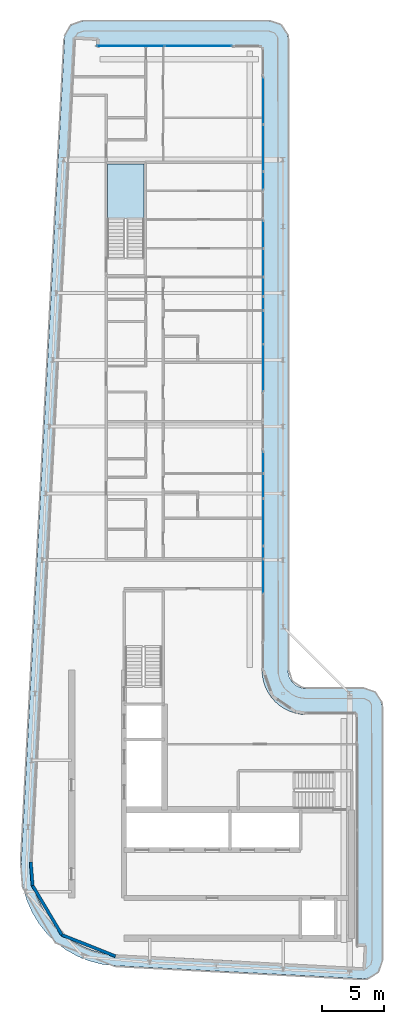
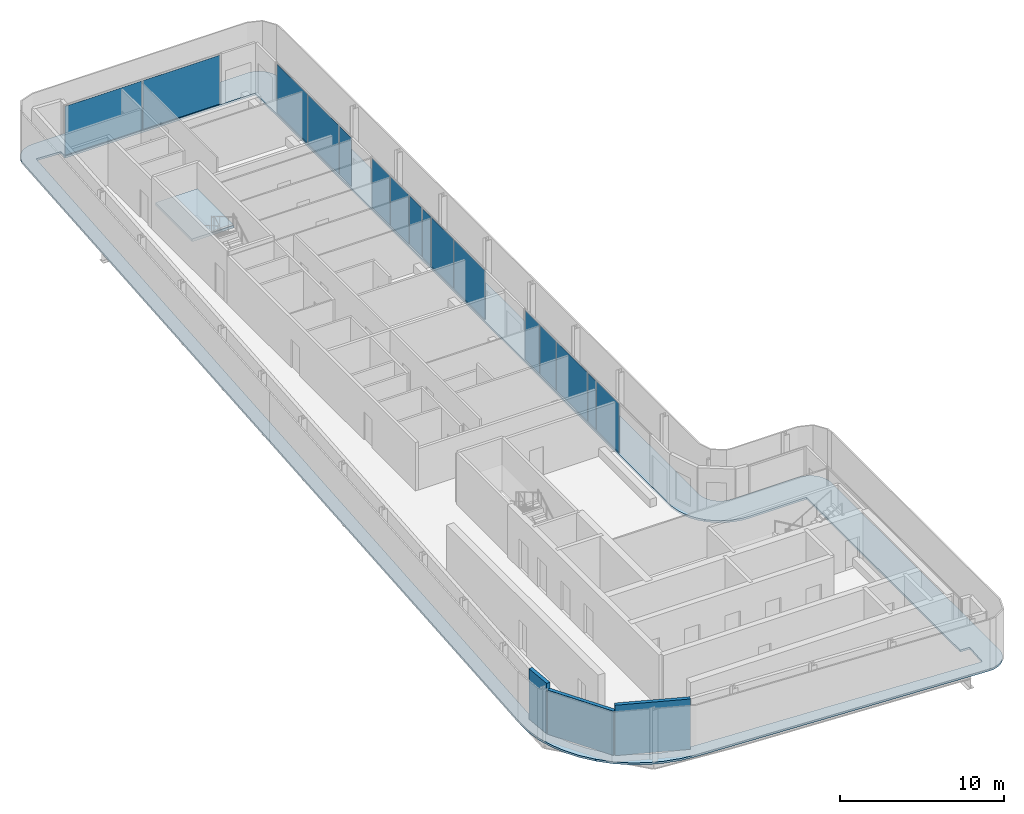
# One storey, part 8 of 18: 16 plates, 3 walls, 2 slabs, 8 elements without a shape of their own.
"""IFC4 building model written with IfcOpenShell, lengths in metres."""

import ifcopenshell
import ifcopenshell.guid

model = None  # the IFC model being written
_history = None  # IfcOwnerHistory: only IFC2X3 demands one
_inside = {}  # id of a spatial element -> (the spatial element, [elements in it])
_under = {}  # id of a project, library or spatial element -> (it, [spatial elements below it])
_declared = {}  # id of a project -> (the project, [libraries it declares])
_typed = {}  # id of a type object -> (the type object, [elements of that type])
_made_of = {}  # id of a material, layer set ... -> (it, [elements and type objects made of it])


def new_model(schema):
    """Start an empty IFC model of exactly this schema.

    Asked for "IFC4X3", IfcOpenShell would pick the latest addendum, in which some entities
    have other attributes; the version numbers below select the first issue.
    IFC2X3 requires an IfcOwnerHistory on every rooted entity: one is made here for all.
    """
    global model, _history
    if schema == "IFC4X3":
        model = ifcopenshell.file(schema_version=(4, 3, 0, 0))
    else:
        model = ifcopenshell.file(schema=schema)
    _inside.clear()
    _under.clear()
    _declared.clear()
    _typed.clear()
    _made_of.clear()
    _history = None
    if model.schema == "IFC2X3":
        org = make("IfcOrganization", Name="unknown")
        user = make(
            "IfcPersonAndOrganization",
            ThePerson=make("IfcPerson", FamilyName="unknown"),
            TheOrganization=org,
        )
        app = make(
            "IfcApplication",
            ApplicationDeveloper=org,
            Version="unknown",
            ApplicationFullName="unknown",
            ApplicationIdentifier="unknown",
        )
        _history = make(
            "IfcOwnerHistory",
            OwningUser=user,
            OwningApplication=app,
            ChangeAction="ADDED",
            CreationDate=0,
        )
    return model


def make(cls, **values):
    """One entity of the class cls with the attributes given. An attribute that is None is left unset."""
    return model.create_entity(
        cls, **{name: value for name, value in values.items() if value is not None}
    )


def rooted(cls, **values):
    """An entity with a GlobalId (a new one), such as an element, a storey or a relation."""
    return make(cls, GlobalId=ifcopenshell.guid.new(), OwnerHistory=_history, **values)


def si_unit(unit_type, name, prefix=None):
    """IfcSIUnit, for example si_unit("LENGTHUNIT", "METRE", prefix="MILLI")."""
    return make("IfcSIUnit", UnitType=unit_type, Prefix=prefix, Name=name)


def assignment(units):
    """IfcUnitAssignment: the units of a project."""
    return None if units is None else make("IfcUnitAssignment", Units=units)


def point(xyz):
    """IfcCartesianPoint."""
    return None if xyz is None else make("IfcCartesianPoint", Coordinates=xyz)


def direction(xyz):
    """IfcDirection."""
    return None if xyz is None else make("IfcDirection", DirectionRatios=xyz)


def frame(location, z_axis=None, x_axis=None):
    """IfcAxis2Placement3D, a coordinate frame: its origin and axes. An axis left out is left unset."""
    return make(
        "IfcAxis2Placement3D",
        Location=point(location),
        Axis=direction(z_axis),
        RefDirection=direction(x_axis),
    )


def frame_2d(location, x_axis=None):
    """IfcAxis2Placement2D, a coordinate frame in the plane: its origin and x axis."""
    return make(
        "IfcAxis2Placement2D", Location=point(location), RefDirection=direction(x_axis)
    )


def origin():
    """The frame at (0, 0, 0) with its axes left unset."""
    return frame((0.0, 0.0, 0.0))


def origin_2d():
    """The frame at (0, 0) in the plane with its x axis left unset."""
    return frame_2d((0.0, 0.0))


def place(relative_to, where):
    """IfcLocalPlacement: puts the frame where relative to a parent placement (None: the world)."""
    return make(
        "IfcLocalPlacement", PlacementRelTo=relative_to, RelativePlacement=where
    )


def context(
    kind, dimensions, precision=None, world=None, true_north=None, identifier=None
):
    """IfcGeometricRepresentationContext, for example the 3D "Model" context."""
    return make(
        "IfcGeometricRepresentationContext",
        ContextIdentifier=identifier,
        ContextType=kind,
        CoordinateSpaceDimension=dimensions,
        Precision=precision,
        WorldCoordinateSystem=world,
        TrueNorth=true_north,
    )


def subcontext(parent, identifier, kind, view, scale=None):
    """IfcGeometricRepresentationSubContext, for example "Body" below "Model"."""
    return make(
        "IfcGeometricRepresentationSubContext",
        ContextIdentifier=identifier,
        ContextType=kind,
        ParentContext=parent,
        TargetScale=scale,
        TargetView=view,
    )


def project(units=None, contexts=None):
    """IfcProject with its units and contexts."""
    return rooted(
        "IfcProject",
        Name="project",
        RepresentationContexts=contexts,
        UnitsInContext=assignment(units),
    )


def spatial(cls, under=None, at=None, **own):
    """A site, building, storey or space (cls), placed at a placement, below another one or the project."""
    s = rooted(cls, ObjectPlacement=at, **own)
    if under is not None:
        _under.setdefault(under.id(), (under, []))[1].append(s)
    return s


def polyline(points):
    """IfcPolyline through the points."""
    return make("IfcPolyline", Points=[point(p) for p in points])


def profile(cls, at=None, kind="AREA", **sizes):
    """A parametric profile (cls). Its sizes go by their IFC names, for example OverallWidth=200.0."""
    return make(cls, ProfileType=kind, Position=at, **sizes)


def rectangle(**sizes):
    """IfcRectangleProfileDef."""
    return profile("IfcRectangleProfileDef", **sizes)


def outline(outer, holes=None, kind="AREA"):
    """IfcArbitraryClosedProfileDef: a profile drawn as a closed curve; with holes, ...WithVoids."""
    if holes is None:
        return make("IfcArbitraryClosedProfileDef", ProfileType=kind, OuterCurve=outer)
    return make(
        "IfcArbitraryProfileDefWithVoids",
        ProfileType=kind,
        OuterCurve=outer,
        InnerCurves=holes,
    )


def extrude(swept, where, along, depth):
    """IfcExtrudedAreaSolid: the profile swept, set in the frame where, extruded along a direction by depth."""
    return make(
        "IfcExtrudedAreaSolid",
        SweptArea=swept,
        Position=where,
        ExtrudedDirection=direction(along),
        Depth=depth,
    )


def shape(context_of_items, identifier, shape_type, items):
    """IfcShapeRepresentation: the items that make up one representation, for example the "Body"."""
    return make(
        "IfcShapeRepresentation",
        ContextOfItems=context_of_items,
        RepresentationIdentifier=identifier,
        RepresentationType=shape_type,
        Items=items,
    )


def material(Name=None, Category=None):
    """IfcMaterial."""
    return make("IfcMaterial", Name=Name, Category=Category)


def layer(
    of_material, thickness, ventilated=None, Name=None, Category=None, Priority=None
):
    """IfcMaterialLayer: one layer of a wall or slab, of a material (None: an air gap)."""
    return make(
        "IfcMaterialLayer",
        Material=of_material,
        LayerThickness=thickness,
        IsVentilated=ventilated,
        Name=Name,
        Category=Category,
        Priority=Priority,
    )


def layer_set(layers, Name=None):
    """IfcMaterialLayerSet."""
    return make("IfcMaterialLayerSet", MaterialLayers=layers, LayerSetName=Name)


def made_of(thing, what):
    """Note that an element or type object is made of a material, layer set ...; save() writes the relation."""
    if what is not None:
        _made_of.setdefault(what.id(), (what, []))[1].append(thing)
    return thing


def type_object(cls, material=None, **own):
    """A type object (cls), such as IfcWallType, which elements share."""
    return made_of(rooted(cls, **own), material)


def element(
    cls,
    number,
    at=None,
    inside=None,
    cuts=None,
    type_object=None,
    material=None,
    context=None,
    identifier="Body",
    shape_type=None,
    held_by="IfcProductDefinitionShape",
    body=None,
    shapes=None,
    **own,
):
    """One element of the class cls, such as IfcWall. Its Tag is "e" and its number.

    at: its placement. inside: the storey or other place that contains it. cuts: it is an
    opening in that element (IfcRelVoidsElement). A single representation is given by context,
    identifier, shape_type and body (its items); several are given by shapes. held_by: the class
    of the entity that holds the representations. save() writes the other relations.
    """
    e = rooted(cls, Tag="e%d" % number, ObjectPlacement=at, **own)
    if body is not None:
        shapes = [shape(context, identifier, shape_type, body)]
    if shapes is not None:
        e.Representation = make(held_by, Representations=shapes)
    if inside is not None:
        _inside.setdefault(inside.id(), (inside, []))[1].append(e)
    if cuts is not None:
        rooted(
            "IfcRelVoidsElement", RelatingBuildingElement=cuts, RelatedOpeningElement=e
        )
    if type_object is not None:
        _typed.setdefault(type_object.id(), (type_object, []))[1].append(e)
    return made_of(e, material)


def aggregate(whole, parts):
    """IfcRelAggregates: a whole, such as a stair, and the parts it consists of."""
    return rooted("IfcRelAggregates", RelatingObject=whole, RelatedObjects=parts)


def save(model, path):
    """Write the relations noted so far, then the file.

    IfcRelAggregates (storeys below a building ...), IfcRelContainedInSpatialStructure (elements
    in a storey), IfcRelDefinesByType, IfcRelAssociatesMaterial and IfcRelDeclares: one each for
    every whole, place, type object, material and project.
    """
    for whole, parts in _under.values():
        aggregate(whole, parts)
    for where, things in _inside.values():
        rooted(
            "IfcRelContainedInSpatialStructure",
            RelatedElements=things,
            RelatingStructure=where,
        )
    for kind, things in _typed.values():
        rooted("IfcRelDefinesByType", RelatedObjects=things, RelatingType=kind)
    for what, things in _made_of.values():
        rooted("IfcRelAssociatesMaterial", RelatedObjects=things, RelatingMaterial=what)
    for by, libraries in _declared.values():
        rooted("IfcRelDeclares", RelatingContext=by, RelatedDefinitions=libraries)
    model.write(path)


model = new_model("IFC4")

# Units and contexts
model_context = context("Model", 3, precision=1e-05, world=origin(), true_north=direction((0.0, 1.0)))
body_context = subcontext(model_context, "Body", "Model", "MODEL_VIEW")
ifc_project = project(units=[si_unit("LENGTHUNIT", "METRE"), si_unit("AREAUNIT", "SQUARE_METRE"), si_unit("VOLUMEUNIT", "CUBIC_METRE"), si_unit("PLANEANGLEUNIT", "RADIAN"), si_unit("MASSUNIT", "GRAM", prefix="KILO")], contexts=[model_context])

# Site, building, storey
site_placement = place(None, origin())
site = spatial("IfcSite", under=ifc_project, at=site_placement, CompositionType="ELEMENT")
building_placement = place(site_placement, origin())
building = spatial("IfcBuilding", under=site, at=building_placement, Name="Kheshtan School and Residences Tower", CompositionType="ELEMENT")
storey_placement = place(building_placement, frame((0.0, 0.0, 373.39990234375)))
storey = spatial("IfcBuildingStorey", under=building, at=storey_placement, Name="L88", CompositionType="ELEMENT", Elevation=373.39990234375)

# Curtain wall, plates
ifc_material_1 = material(Name="Clear low-e glass in thermally broken aluminium frame", Category="aluminium")
ifc_layer_1 = layer(ifc_material_1, 0.199951171875)
ifc_layer_set_1 = layer_set([ifc_layer_1], Name="Curtain wall CW-L")
curtain_wall_type = type_object("IfcCurtainWallType", Name="Curtain wall CW-L", PredefinedType="NOTDEFINED", material=ifc_layer_set_1)
curtain_wall_1_placement = place(storey_placement, origin())
curtain_wall_1 = element("IfcCurtainWall", 1, at=curtain_wall_1_placement, inside=storey, type_object=curtain_wall_type, Name="Curtain wall CWL7", PredefinedType="NOTDEFINED")
ifc_layer_2 = layer(ifc_material_1, 0.031982421875)
ifc_layer_set_2 = layer_set([ifc_layer_2], Name="CW-L glass panel")
plate_type = type_object("IfcPlateType", Name="CW-L glass panel", PredefinedType="CURTAIN_PANEL", material=ifc_layer_set_2)
plate_1_placement = place(storey_placement, frame((35.259033203125, 98.0, 0.000244140625), z_axis=(0.0, 0.0, 1.0), x_axis=(1.0, 0.0, 0.0)))
plate_1 = element("IfcPlate", 2, at=plate_1_placement, type_object=plate_type, Name="CWL7 panel 1.1", PredefinedType="CURTAIN_PANEL", context=body_context, shape_type="SweptSolid", body=[
    extrude(rectangle(XDim=5.4140625, YDim=0.031982421875, at=origin_2d()), origin(), (0.0, 0.0, 1.0), 3.6298828125),
])
plate_2_placement = place(storey_placement, frame((40.73291015625, 98.0, 0.000244140625), z_axis=(0.0, 0.0, 1.0), x_axis=(1.0, 0.0, 0.0)))
plate_2 = element("IfcPlate", 3, at=plate_2_placement, type_object=plate_type, Name="CWL7 panel 2.1", PredefinedType="CURTAIN_PANEL", context=body_context, shape_type="SweptSolid", body=[
    extrude(rectangle(XDim=5.4140625, YDim=0.031982421875, at=origin_2d()), origin(), (0.0, 0.0, 1.0), 3.6298828125),
])
aggregate(curtain_wall_1, [plate_1, plate_2])

curtain_wall_2_placement = place(storey_placement, origin())
curtain_wall_2 = element("IfcCurtainWall", 4, at=curtain_wall_2_placement, inside=storey, type_object=curtain_wall_type, Name="Curtain wall CWL8", PredefinedType="NOTDEFINED")
plate_3_placement = place(storey_placement, frame((46.0, 93.5615234375, 0.000244140625), z_axis=(0.0, 0.0, 1.0), x_axis=(0.0, -1.0, 0.0)))
plate_3 = element("IfcPlate", 5, at=plate_3_placement, type_object=plate_type, Name="CWL8 panel 1.1", PredefinedType="CURTAIN_PANEL", context=body_context, shape_type="SweptSolid", body=[
    extrude(rectangle(XDim=3.757080078125, YDim=0.031982421875, at=origin_2d()), origin(), (0.0, 0.0, 1.0), 3.6298828125),
])
plate_4_placement = place(storey_placement, frame((46.0, 89.744384765625, 0.000244140625), z_axis=(0.0, 0.0, 1.0), x_axis=(0.0, -1.0, 0.0)))
plate_4 = element("IfcPlate", 6, at=plate_4_placement, type_object=plate_type, Name="CWL8 panel 2.1", PredefinedType="CURTAIN_PANEL", context=body_context, shape_type="SweptSolid", body=[
    extrude(rectangle(XDim=3.757080078125, YDim=0.031982421875, at=origin_2d()), origin(), (0.0, 0.0, 1.0), 3.6298828125),
])
aggregate(curtain_wall_2, [plate_3, plate_4])

# Curtain wall, plate
curtain_wall_3_placement = place(storey_placement, origin())
curtain_wall_3 = element("IfcCurtainWall", 7, at=curtain_wall_3_placement, inside=storey, type_object=curtain_wall_type, Name="Curtain wall CWL8a", PredefinedType="NOTDEFINED")
plate_5_placement = place(storey_placement, frame((46.0, 87.0859375, 0.000244140625), z_axis=(0.0, 0.0, 1.0), x_axis=(0.0, -1.0, 0.0)))
plate_5 = element("IfcPlate", 8, at=plate_5_placement, type_object=plate_type, Name="CWL8a panel 1.1", PredefinedType="CURTAIN_PANEL", context=body_context, shape_type="SweptSolid", body=[
    extrude(rectangle(XDim=1.43994140625, YDim=0.031982421875, at=origin_2d()), origin(), (0.0, 0.0, 1.0), 3.6298828125),
])
aggregate(curtain_wall_3, [plate_5])

# Curtain wall, plates
curtain_wall_4_placement = place(storey_placement, origin())
curtain_wall_4 = element("IfcCurtainWall", 9, at=curtain_wall_4_placement, inside=storey, type_object=curtain_wall_type, Name="Curtain wall CWL8b", PredefinedType="NOTDEFINED")
plate_6_placement = place(storey_placement, frame((46.0, 82.75048828125, 0.000244140625), z_axis=(0.0, 0.0, 1.0), x_axis=(0.0, -1.0, 0.0)))
plate_6 = element("IfcPlate", 10, at=plate_6_placement, type_object=plate_type, Name="CWL8b panel 1.1", PredefinedType="CURTAIN_PANEL", context=body_context, shape_type="SweptSolid", body=[
    extrude(rectangle(XDim=2.19091796875, YDim=0.031982421875, at=origin_2d()), origin(), (0.0, 0.0, 1.0), 3.6298828125),
])
plate_7_placement = place(storey_placement, frame((46.0, 80.46240234375, 0.000244140625), z_axis=(0.0, 0.0, 1.0), x_axis=(0.0, -1.0, 0.0)))
plate_7 = element("IfcPlate", 11, at=plate_7_placement, type_object=plate_type, Name="CWL8b panel 2.1", PredefinedType="CURTAIN_PANEL", context=body_context, shape_type="SweptSolid", body=[
    extrude(rectangle(XDim=2.264892578125, YDim=0.031982421875, at=origin_2d()), origin(), (0.0, 0.0, 1.0), 3.6298828125),
])
plate_8_placement = place(storey_placement, frame((46.0, 78.52099609375, 0.000244140625), z_axis=(0.0, 0.0, 1.0), x_axis=(0.0, -1.0, 0.0)))
plate_8 = element("IfcPlate", 12, at=plate_8_placement, type_object=plate_type, Name="CWL8b panel 3.1", PredefinedType="CURTAIN_PANEL", context=body_context, shape_type="SweptSolid", body=[
    extrude(rectangle(XDim=1.498046875, YDim=0.031982421875, at=origin_2d()), origin(), (0.0, 0.0, 1.0), 3.6298828125),
])
aggregate(curtain_wall_4, [plate_6, plate_7, plate_8])

curtain_wall_5_placement = place(storey_placement, origin())
curtain_wall_5 = element("IfcCurtainWall", 13, at=curtain_wall_5_placement, inside=storey, type_object=curtain_wall_type, Name="Curtain wall CWL8c", PredefinedType="NOTDEFINED")
plate_9_placement = place(storey_placement, frame((46.0, 77.1708984375, 0.000244140625), z_axis=(0.0, 0.0, 1.0), x_axis=(0.0, -1.0, 0.0)))
plate_9 = element("IfcPlate", 14, at=plate_9_placement, type_object=plate_type, Name="CWL8c panel 1.1", PredefinedType="CURTAIN_PANEL", context=body_context, shape_type="SweptSolid", body=[
    extrude(rectangle(XDim=1.08203125, YDim=0.031982421875, at=origin_2d()), origin(), (0.0, 0.0, 1.0), 3.6298828125),
])
plate_10_placement = place(storey_placement, frame((46.0, 75.232421875, 0.000244140625), z_axis=(0.0, 0.0, 1.0), x_axis=(0.0, -1.0, 0.0)))
plate_10 = element("IfcPlate", 15, at=plate_10_placement, type_object=plate_type, Name="CWL8c panel 2.1", PredefinedType="CURTAIN_PANEL", context=body_context, shape_type="SweptSolid", body=[
    extrude(rectangle(XDim=2.675048828125, YDim=0.031982421875, at=origin_2d()), origin(), (0.0, 0.0, 1.0), 3.6298828125),
])
plate_11_placement = place(storey_placement, frame((46.0, 71.95654296875, 0.000244140625), z_axis=(0.0, 0.0, 1.0), x_axis=(0.0, -1.0, 0.0)))
plate_11 = element("IfcPlate", 16, at=plate_11_placement, type_object=plate_type, Name="CWL8c panel 3.1", PredefinedType="CURTAIN_PANEL", context=body_context, shape_type="SweptSolid", body=[
    extrude(rectangle(XDim=3.757080078125, YDim=0.031982421875, at=origin_2d()), origin(), (0.0, 0.0, 1.0), 3.6298828125),
])
aggregate(curtain_wall_5, [plate_9, plate_10, plate_11])

curtain_wall_6_placement = place(storey_placement, origin())
curtain_wall_6 = element("IfcCurtainWall", 17, at=curtain_wall_6_placement, inside=storey, type_object=curtain_wall_type, Name="Curtain wall CWL8c", PredefinedType="NOTDEFINED")
plate_12_placement = place(storey_placement, frame((46.0, 64.2939453125, 0.000244140625), z_axis=(0.0, 0.0, 1.0), x_axis=(0.0, -1.0, 0.0)))
plate_12 = element("IfcPlate", 18, at=plate_12_placement, type_object=plate_type, Name="CWL8c panel 1.1", PredefinedType="CURTAIN_PANEL", context=body_context, shape_type="SweptSolid", body=[
    extrude(rectangle(XDim=1.72802734375, YDim=0.031982421875, at=origin_2d()), origin(), (0.0, 0.0, 1.0), 3.6298828125),
])
plate_13_placement = place(storey_placement, frame((46.0, 62.385498046875, 0.000244140625), z_axis=(0.0, 0.0, 1.0), x_axis=(0.0, -1.0, 0.0)))
plate_13 = element("IfcPlate", 19, at=plate_13_placement, type_object=plate_type, Name="CWL8c panel 2.1", PredefinedType="CURTAIN_PANEL", context=body_context, shape_type="SweptSolid", body=[
    extrude(rectangle(XDim=1.968994140625, YDim=0.031982421875, at=origin_2d()), origin(), (0.0, 0.0, 1.0), 3.6298828125),
])
plate_14_placement = place(storey_placement, frame((46.0, 59.46240234375, 0.000244140625), z_axis=(0.0, 0.0, 1.0), x_axis=(0.0, -1.0, 0.0)))
plate_14 = element("IfcPlate", 20, at=plate_14_placement, type_object=plate_type, Name="CWL8c panel 3.1", PredefinedType="CURTAIN_PANEL", context=body_context, shape_type="SweptSolid", body=[
    extrude(rectangle(XDim=3.757080078125, YDim=0.031982421875, at=origin_2d()), origin(), (0.0, 0.0, 1.0), 3.6298828125),
])
aggregate(curtain_wall_6, [plate_12, plate_13, plate_14])

curtain_wall_7_placement = place(storey_placement, origin())
curtain_wall_7 = element("IfcCurtainWall", 21, at=curtain_wall_7_placement, inside=storey, type_object=curtain_wall_type, Name="Curtain wall CWL8c", PredefinedType="NOTDEFINED")
plate_15_placement = place(storey_placement, frame((46.0, 57.027099609375, 0.000244140625), z_axis=(0.0, 0.0, 1.0), x_axis=(0.0, -1.0, 0.0)))
plate_15 = element("IfcPlate", 22, at=plate_15_placement, type_object=plate_type, Name="CWL8c panel 1.1", PredefinedType="CURTAIN_PANEL", context=body_context, shape_type="SweptSolid", body=[
    extrude(rectangle(XDim=0.993896484375, YDim=0.031982421875, at=origin_2d()), origin(), (0.0, 0.0, 1.0), 3.6298828125),
])
plate_16_placement = place(storey_placement, frame((46.0, 55.08837890625, 0.000244140625), z_axis=(0.0, 0.0, 1.0), x_axis=(0.0, -1.0, 0.0)))
plate_16 = element("IfcPlate", 23, at=plate_16_placement, type_object=plate_type, Name="CWL8c panel 2.1", PredefinedType="CURTAIN_PANEL", context=body_context, shape_type="SweptSolid", body=[
    extrude(rectangle(XDim=2.762939453125, YDim=0.031982421875, at=origin_2d()), origin(), (0.0, 0.0, 1.0), 3.6298828125),
])
aggregate(curtain_wall_7, [plate_15, plate_16])

# Slab
ifc_material_2 = material(Name="Concrete C40/50", Category="concrete")
ifc_layer_3 = layer(ifc_material_2, 0.14990234375)
ifc_layer_set_3 = layer_set([ifc_layer_3], Name="Loggia balcony slab 150 Concrete C40/50")
slab_type_1 = type_object("IfcSlabType", Name="Loggia balcony slab 150 Concrete C40/50", PredefinedType="FLOOR", material=ifc_layer_set_3)
slab_1_placement = place(storey_placement, frame((0.0, 0.0, -0.14990234375)))
element("IfcSlab", 24, at=slab_1_placement, inside=storey, type_object=slab_type_1, Name="Loggia balcony slab L88", PredefinedType="FLOOR", context=body_context, shape_type="SweptSolid", body=[
    extrude(outline(polyline([(28.4580078125, 26.222900390625), (28.45703125, 26.222900390625), (28.45703125, 26.22412109375), (28.4560546875, 26.22412109375), (27.81494140625, 27.0390625), (27.281005859375, 27.93798828125), (26.867919921875, 28.89990234375), (26.583984375, 29.89990234375), (26.583984375, 29.906982421875), (26.43408203125, 30.943115234375), (26.419921875, 31.989013671875), (29.925048828125, 98.5791015625), (29.930908203125, 98.626953125), (29.930908203125, 98.6279296875), (29.929931640625, 98.6279296875), (29.929931640625, 98.62890625), (29.928955078125, 98.62890625), (29.928955078125, 98.6298828125), (29.927978515625, 98.6298828125), (29.927978515625, 98.631103515625), (29.927001953125, 98.631103515625), (29.927001953125, 98.632080078125), (29.927001953125, 98.633056640625), (29.945068359375, 98.781005859375), (29.945068359375, 98.783935546875), (29.945068359375, 98.784912109375), (29.946044921875, 98.784912109375), (29.946044921875, 98.785888671875), (29.947021484375, 98.785888671875), (29.947021484375, 98.787109375), (29.947998046875, 98.787109375), (29.948974609375, 98.787109375), (29.948974609375, 98.7880859375), (29.949951171875, 98.7880859375), (29.949951171875, 98.7890625), (29.949951171875, 98.791015625), (30.0029296875, 98.98388671875), (30.083984375, 99.175048828125), (30.18896484375, 99.35302734375), (30.31103515625, 99.507080078125), (30.31201171875, 99.507080078125), (30.31201171875, 99.508056640625), (30.31298828125, 99.508056640625), (30.31298828125, 99.509033203125), (30.31396484375, 99.509033203125), (30.31396484375, 99.510009765625), (30.31494140625, 99.510009765625), (30.31494140625, 99.510986328125), (30.31591796875, 99.510986328125), (30.31591796875, 99.511962890625), (30.31689453125, 99.511962890625), (30.31689453125, 99.512939453125), (30.318115234375, 99.512939453125), (30.320068359375, 99.512939453125), (30.321044921875, 99.512939453125), (30.321044921875, 99.513916015625), (30.468017578125, 99.656982421875), (30.468994140625, 99.656982421875), (30.468994140625, 99.657958984375), (30.469970703125, 99.657958984375), (30.469970703125, 99.658935546875), (30.470947265625, 99.658935546875), (30.470947265625, 99.659912109375), (30.471923828125, 99.659912109375), (30.471923828125, 99.660888671875), (30.472900390625, 99.660888671875), (30.472900390625, 99.662109375), (30.47412109375, 99.662109375), (30.47412109375, 99.6630859375), (30.47509765625, 99.6630859375), (30.47509765625, 99.6640625), (30.635986328125, 99.777099609375), (30.820068359375, 99.873046875), (31.007080078125, 99.943115234375), (31.013916015625, 99.943115234375), (31.217041015625, 99.986083984375), (31.423095703125, 100.0), (46.5, 100.0), (46.696044921875, 99.987060546875), (46.887939453125, 99.948974609375), (46.89501953125, 99.948974609375), (47.073974609375, 99.885986328125), (47.242919921875, 99.801025390625), (47.243896484375, 99.801025390625), (47.2470703125, 99.801025390625), (47.248046875, 99.801025390625), (47.248046875, 99.802001953125), (47.2490234375, 99.802001953125), (47.2490234375, 99.802978515625), (47.25, 99.802978515625), (47.2529296875, 99.802978515625), (47.25390625, 99.802978515625), (47.25390625, 99.802001953125), (47.2548828125, 99.802001953125), (47.2548828125, 99.801025390625), (47.256103515625, 99.801025390625), (47.256103515625, 99.800048828125), (47.257080078125, 99.800048828125), (47.257080078125, 99.799072265625), (47.258056640625, 99.799072265625), (47.258056640625, 99.798095703125), (47.412109375, 99.696044921875), (47.4130859375, 99.696044921875), (47.4130859375, 99.695068359375), (47.4140625, 99.695068359375), (47.4140625, 99.694091796875), (47.4140625, 99.68994140625), (47.4140625, 99.68896484375), (47.4150390625, 99.68896484375), (47.4150390625, 99.68798828125), (47.416015625, 99.68798828125), (47.416015625, 99.68701171875), (47.4169921875, 99.68701171875), (47.4169921875, 99.68603515625), (47.554931640625, 99.568115234375), (47.554931640625, 99.56689453125), (47.555908203125, 99.56689453125), (47.555908203125, 99.56591796875), (47.556884765625, 99.56591796875), (47.556884765625, 99.56494140625), (47.55810546875, 99.56494140625), (47.55810546875, 99.56396484375), (47.55908203125, 99.56396484375), (47.55908203125, 99.56298828125), (47.56005859375, 99.56298828125), (47.56005859375, 99.56201171875), (47.56103515625, 99.56201171875), (47.56201171875, 99.56103515625), (47.56201171875, 99.56005859375), (47.56298828125, 99.56005859375), (47.56298828125, 99.55908203125), (47.56396484375, 99.55908203125), (47.56396484375, 99.55810546875), (47.56494140625, 99.55810546875), (47.56494140625, 99.556884765625), (47.56591796875, 99.556884765625), (47.56591796875, 99.555908203125), (47.56689453125, 99.555908203125), (47.56689453125, 99.554931640625), (47.568115234375, 99.554931640625), (47.68505859375, 99.41796875), (47.68603515625, 99.41796875), (47.68603515625, 99.4169921875), (47.68701171875, 99.4169921875), (47.68701171875, 99.416015625), (47.68798828125, 99.416015625), (47.68798828125, 99.4150390625), (47.68896484375, 99.4150390625), (47.68896484375, 99.4140625), (47.68994140625, 99.4140625), (47.694091796875, 99.4140625), (47.695068359375, 99.4140625), (47.695068359375, 99.4130859375), (47.696044921875, 99.4130859375), (47.696044921875, 99.412109375), (47.797119140625, 99.259033203125), (47.798095703125, 99.259033203125), (47.798095703125, 99.258056640625), (47.799072265625, 99.258056640625), (47.799072265625, 99.257080078125), (47.800048828125, 99.257080078125), (47.800048828125, 99.256103515625), (47.801025390625, 99.256103515625), (47.801025390625, 99.2548828125), (47.802001953125, 99.2548828125), (47.802001953125, 99.25390625), (47.802978515625, 99.25390625), (47.802978515625, 99.2529296875), (47.802978515625, 99.25), (47.802978515625, 99.2490234375), (47.802001953125, 99.2490234375), (47.802001953125, 99.248046875), (47.801025390625, 99.248046875), (47.801025390625, 99.2470703125), (47.801025390625, 99.243896484375), (47.801025390625, 99.242919921875), (47.885986328125, 99.073974609375), (47.948974609375, 98.89501953125), (47.948974609375, 98.887939453125), (47.987060546875, 98.696044921875), (48.0, 98.5), (48.0, 47.5), (48.012939453125, 47.303955078125), (48.051025390625, 47.113037109375), (48.051025390625, 47.10693359375), (48.051025390625, 47.10595703125), (48.114013671875, 46.926025390625), (48.200927734375, 46.75), (48.31005859375, 46.5869140625), (48.431884765625, 46.444091796875), (48.43310546875, 46.444091796875), (48.43310546875, 46.443115234375), (48.43408203125, 46.443115234375), (48.43408203125, 46.44189453125), (48.43505859375, 46.44189453125), (48.43505859375, 46.44091796875), (48.43603515625, 46.44091796875), (48.43603515625, 46.43994140625), (48.43701171875, 46.43994140625), (48.43701171875, 46.43896484375), (48.43798828125, 46.43896484375), (48.43896484375, 46.43798828125), (48.43896484375, 46.43701171875), (48.43994140625, 46.43701171875), (48.43994140625, 46.43603515625), (48.44091796875, 46.43603515625), (48.44091796875, 46.43505859375), (48.44189453125, 46.43505859375), (48.44189453125, 46.43408203125), (48.443115234375, 46.43408203125), (48.443115234375, 46.43310546875), (48.444091796875, 46.43310546875), (48.444091796875, 46.431884765625), (48.5869140625, 46.31005859375), (48.75, 46.200927734375), (48.926025390625, 46.114013671875), (49.10595703125, 46.051025390625), (49.10693359375, 46.051025390625), (49.113037109375, 46.051025390625), (49.303955078125, 46.012939453125), (49.5, 46.0), (54.10009765625, 46.0), (54.2958984375, 45.987060546875), (54.488037109375, 45.948974609375), (54.4951171875, 45.948974609375), (54.674072265625, 45.885986328125), (54.842041015625, 45.801025390625), (54.843017578125, 45.801025390625), (54.846923828125, 45.801025390625), (54.847900390625, 45.801025390625), (54.847900390625, 45.802001953125), (54.84912109375, 45.802001953125), (54.84912109375, 45.802978515625), (54.85009765625, 45.802978515625), (54.85302734375, 45.802978515625), (54.85400390625, 45.802978515625), (54.85400390625, 45.802001953125), (54.85498046875, 45.802001953125), (54.85498046875, 45.801025390625), (54.85595703125, 45.801025390625), (54.85595703125, 45.800048828125), (54.85693359375, 45.800048828125), (54.85693359375, 45.799072265625), (54.85791015625, 45.799072265625), (54.85791015625, 45.798095703125), (54.85888671875, 45.798095703125), (54.85888671875, 45.797119140625), (54.860107421875, 45.797119140625), (54.860107421875, 45.7958984375), (55.011962890625, 45.696044921875), (55.012939453125, 45.696044921875), (55.012939453125, 45.695068359375), (55.013916015625, 45.695068359375), (55.013916015625, 45.694091796875), (55.013916015625, 45.68994140625), (55.013916015625, 45.68896484375), (55.014892578125, 45.68896484375), (55.014892578125, 45.68798828125), (55.01611328125, 45.68798828125), (55.01611328125, 45.68701171875), (55.01708984375, 45.68701171875), (55.01708984375, 45.68603515625), (55.01806640625, 45.68603515625), (55.01806640625, 45.68505859375), (55.01904296875, 45.68505859375), (55.01904296875, 45.68408203125), (55.155029296875, 45.568115234375), (55.155029296875, 45.56689453125), (55.156005859375, 45.56689453125), (55.156005859375, 45.56591796875), (55.156982421875, 45.56591796875), (55.156982421875, 45.56494140625), (55.157958984375, 45.56494140625), (55.157958984375, 45.56396484375), (55.158935546875, 45.56396484375), (55.158935546875, 45.56298828125), (55.159912109375, 45.56298828125), (55.159912109375, 45.56201171875), (55.160888671875, 45.56201171875), (55.162109375, 45.56103515625), (55.162109375, 45.56005859375), (55.1630859375, 45.56005859375), (55.1630859375, 45.55908203125), (55.1640625, 45.55908203125), (55.1640625, 45.55810546875), (55.1650390625, 45.55810546875), (55.1650390625, 45.556884765625), (55.166015625, 45.556884765625), (55.166015625, 45.555908203125), (55.1669921875, 45.555908203125), (55.1669921875, 45.554931640625), (55.16796875, 45.554931640625), (55.281982421875, 45.4208984375), (55.282958984375, 45.4208984375), (55.282958984375, 45.419921875), (55.283935546875, 45.419921875), (55.283935546875, 45.4189453125), (55.284912109375, 45.4189453125), (55.284912109375, 45.41796875), (55.285888671875, 45.41796875), (55.285888671875, 45.4169921875), (55.287109375, 45.4169921875), (55.287109375, 45.416015625), (55.2880859375, 45.416015625), (55.2880859375, 45.4150390625), (55.2890625, 45.4150390625), (55.2890625, 45.4140625), (55.2900390625, 45.4140625), (55.2939453125, 45.4140625), (55.294921875, 45.4140625), (55.294921875, 45.4130859375), (55.2958984375, 45.4130859375), (55.2958984375, 45.412109375), (55.39404296875, 45.261962890625), (55.39501953125, 45.261962890625), (55.39501953125, 45.260986328125), (55.39599609375, 45.260986328125), (55.39599609375, 45.260009765625), (55.39697265625, 45.260009765625), (55.39697265625, 45.259033203125), (55.39794921875, 45.259033203125), (55.39794921875, 45.258056640625), (55.39892578125, 45.258056640625), (55.39892578125, 45.257080078125), (55.39990234375, 45.257080078125), (55.39990234375, 45.256103515625), (55.40087890625, 45.256103515625), (55.40087890625, 45.2548828125), (55.402099609375, 45.2548828125), (55.402099609375, 45.25390625), (55.403076171875, 45.25390625), (55.403076171875, 45.2529296875), (55.403076171875, 45.25), (55.403076171875, 45.2490234375), (55.402099609375, 45.2490234375), (55.402099609375, 45.248046875), (55.40087890625, 45.248046875), (55.40087890625, 45.2470703125), (55.40087890625, 45.240966796875), (55.40087890625, 45.239990234375), (55.486083984375, 45.073974609375), (55.549072265625, 44.89501953125), (55.549072265625, 44.887939453125), (55.5869140625, 44.696044921875), (55.60009765625, 44.5), (55.60009765625, 24.02294921875), (55.5859375, 23.821044921875), (55.544921875, 23.6220703125), (55.544921875, 23.614990234375), (55.47802734375, 23.430908203125), (55.385986328125, 23.25), (55.27099609375, 23.0849609375), (55.27099609375, 23.083984375), (55.27099609375, 23.0830078125), (55.27099609375, 23.08203125), (55.27197265625, 23.08203125), (55.27197265625, 23.0810546875), (55.27197265625, 23.0791015625), (55.27197265625, 23.077880859375), (55.27099609375, 23.077880859375), (55.27099609375, 23.076904296875), (55.137939453125, 22.93408203125), (55.135009765625, 22.930908203125), (55.134033203125, 22.930908203125), (55.134033203125, 22.929931640625), (55.133056640625, 22.929931640625), (55.131103515625, 22.929931640625), (55.1298828125, 22.929931640625), (55.1298828125, 22.930908203125), (55.12890625, 22.930908203125), (55.1279296875, 22.930908203125), (55.126953125, 22.930908203125), (54.97607421875, 22.805908203125), (54.803955078125, 22.698974609375), (54.618896484375, 22.615966796875), (54.430908203125, 22.55908203125), (54.424072265625, 22.55908203125), (54.22412109375, 22.528076171875), (54.02099609375, 22.52490234375), (33.989013671875, 23.580078125), (33.94189453125, 23.5859375), (33.94091796875, 23.5859375), (33.93994140625, 23.5859375), (33.93994140625, 23.5849609375), (33.93896484375, 23.5849609375), (33.93896484375, 23.583984375), (33.93798828125, 23.583984375), (33.93798828125, 23.5830078125), (33.93701171875, 23.5830078125), (33.93701171875, 23.58203125), (33.93603515625, 23.58203125), (33.93505859375, 23.58203125), (32.952880859375, 23.697998046875), (32.949951171875, 23.697998046875), (32.948974609375, 23.697998046875), (32.948974609375, 23.698974609375), (32.947998046875, 23.698974609375), (32.947998046875, 23.699951171875), (32.947021484375, 23.699951171875), (32.947021484375, 23.700927734375), (32.947021484375, 23.702880859375), (32.947021484375, 23.7041015625), (32.946044921875, 23.7041015625), (32.946044921875, 23.705078125), (32.945068359375, 23.705078125), (32.944091796875, 23.705078125), (31.93603515625, 23.9609375), (31.928955078125, 23.9609375), (30.964111328125, 24.34912109375), (30.051025390625, 24.860107421875), (29.218994140625, 25.47900390625), (29.218994140625, 25.47998046875), (29.218017578125, 25.47998046875), (29.218017578125, 25.48095703125), (29.217041015625, 25.48095703125), (29.217041015625, 25.48193359375), (29.216064453125, 25.48193359375), (29.216064453125, 25.48291015625), (29.215087890625, 25.48291015625), (29.215087890625, 25.48388671875), (29.214111328125, 25.48388671875), (29.214111328125, 25.485107421875), (29.212890625, 25.485107421875), (29.212890625, 25.486083984375), (29.2119140625, 25.486083984375), (28.466064453125, 26.217041015625), (28.466064453125, 26.218017578125), (28.465087890625, 26.218017578125), (28.462890625, 26.218017578125), (28.4619140625, 26.218017578125), (28.4619140625, 26.218994140625), (28.4609375, 26.218994140625), (28.4609375, 26.219970703125), (28.4599609375, 26.219970703125), (28.4599609375, 26.220947265625), (28.458984375, 26.220947265625), (28.458984375, 26.221923828125), (28.4580078125, 26.221923828125), (28.4580078125, 26.222900390625)]), holes=[polyline([(29.12890625, 26.824951171875), (29.12890625, 26.823974609375), (29.1298828125, 26.823974609375), (29.1298828125, 26.822998046875), (29.131103515625, 26.822998046875), (29.131103515625, 26.822021484375), (29.132080078125, 26.822021484375), (29.132080078125, 26.821044921875), (29.133056640625, 26.821044921875), (29.133056640625, 26.820068359375), (29.134033203125, 26.820068359375), (29.794921875, 26.173095703125), (29.794921875, 26.172119140625), (29.7958984375, 26.172119140625), (29.798095703125, 26.172119140625), (29.799072265625, 26.172119140625), (29.799072265625, 26.1708984375), (29.800048828125, 26.1708984375), (29.800048828125, 26.169921875), (29.801025390625, 26.169921875), (29.801025390625, 26.1689453125), (29.802001953125, 26.1689453125), (29.802001953125, 26.16796875), (29.802978515625, 26.16796875), (29.802978515625, 26.1669921875), (29.803955078125, 26.1669921875), (29.803955078125, 26.166015625), (30.541015625, 25.616943359375), (31.35205078125, 25.1630859375), (32.208984375, 24.819091796875), (32.2099609375, 24.819091796875), (32.216064453125, 24.819091796875), (33.114990234375, 24.590087890625), (34.06591796875, 24.47705078125), (54.0380859375, 23.425048828125), (54.06494140625, 23.426025390625), (54.06591796875, 23.426025390625), (54.06689453125, 23.426025390625), (54.06689453125, 23.427001953125), (54.068115234375, 23.427001953125), (54.068115234375, 23.427978515625), (54.068115234375, 23.428955078125), (54.157958984375, 25.117919921875), (54.157958984375, 25.118896484375), (54.157958984375, 25.1201171875), (54.156982421875, 25.1201171875), (54.156982421875, 25.12109375), (54.156005859375, 25.12109375), (54.155029296875, 25.12109375), (53.5009765625, 25.156005859375), (53.5, 25.156005859375), (53.5, 25.156982421875), (53.5, 43.89794921875), (53.5, 43.89892578125), (53.4990234375, 43.89892578125), (53.4990234375, 43.89990234375), (53.498046875, 43.89990234375), (49.429931640625, 43.89990234375), (49.030029296875, 43.927001953125), (48.569091796875, 44.01806640625), (48.56201171875, 44.01806640625), (48.1201171875, 44.169921875), (47.697021484375, 44.37890625), (47.30810546875, 44.638916015625), (46.95703125, 44.944091796875), (46.95703125, 44.945068359375), (46.9560546875, 44.945068359375), (46.9560546875, 44.946044921875), (46.955078125, 44.946044921875), (46.955078125, 44.947021484375), (46.9541015625, 44.947021484375), (46.9541015625, 44.947998046875), (46.952880859375, 44.947998046875), (46.952880859375, 44.948974609375), (46.951904296875, 44.948974609375), (46.951904296875, 44.949951171875), (46.951904296875, 44.950927734375), (46.950927734375, 44.950927734375), (46.950927734375, 44.951904296875), (46.949951171875, 44.951904296875), (46.948974609375, 44.951904296875), (46.948974609375, 44.952880859375), (46.947998046875, 44.952880859375), (46.947998046875, 44.9541015625), (46.947021484375, 44.9541015625), (46.947021484375, 44.955078125), (46.946044921875, 44.955078125), (46.946044921875, 44.9560546875), (46.945068359375, 44.9560546875), (46.945068359375, 44.95703125), (46.944091796875, 44.95703125), (46.638916015625, 45.30810546875), (46.37890625, 45.697021484375), (46.169921875, 46.1201171875), (46.01806640625, 46.56201171875), (46.01806640625, 46.569091796875), (45.927001953125, 47.030029296875), (45.89990234375, 47.429931640625), (45.89990234375, 97.89794921875), (45.89990234375, 97.89892578125), (45.89892578125, 97.89892578125), (45.89892578125, 97.89990234375), (45.89794921875, 97.89990234375), (32.492919921875, 97.89990234375), (32.491943359375, 97.89990234375), (32.52099609375, 98.43896484375), (32.52099609375, 98.43994140625), (32.52099609375, 98.44091796875), (32.52001953125, 98.44091796875), (32.52001953125, 98.44189453125), (32.51904296875, 98.44189453125), (32.51806640625, 98.44189453125), (30.8291015625, 98.531982421875), (30.827880859375, 98.531982421875), (30.826904296875, 98.531982421875), (30.826904296875, 98.531005859375), (30.825927734375, 98.531005859375), (30.825927734375, 98.530029296875), (30.825927734375, 98.529052734375), (30.822021484375, 98.5009765625), (27.320068359375, 31.970947265625), (27.3330078125, 31.013916015625), (27.466064453125, 30.093994140625), (27.466064453125, 30.087890625), (27.466064453125, 30.0869140625), (27.718017578125, 29.200927734375), (28.0849609375, 28.345947265625), (28.55908203125, 27.550048828125), (29.126953125, 26.825927734375), (29.1279296875, 26.825927734375), (29.1279296875, 26.824951171875), (29.12890625, 26.824951171875)])]), origin(), (0.0, 0.0, 1.0), 0.14990234375),
])

# Stair, slab
stair_type = type_object("IfcStairType", Name="Exit stair, half-turn", PredefinedType="HALF_TURN_STAIR", material=ifc_material_2)
stair_placement = place(storey_placement, origin())
stair = element("IfcStair", 25, at=stair_placement, inside=storey, type_object=stair_type, Name="L88 Protected Exit Stair ST3", PredefinedType="HALF_TURN_STAIR")
ifc_layer_4 = layer(ifc_material_2, 0.199951171875)
ifc_layer_set_4 = layer_set([ifc_layer_4], Name="Stair landing 200 Concrete C40/50")
slab_type_2 = type_object("IfcSlabType", Name="Stair landing 200 Concrete C40/50", PredefinedType="LANDING", material=ifc_layer_set_4)
slab_2_placement = place(storey_placement, frame((0.0, 0.0, 1.75)))
slab_2 = element("IfcSlab", 26, at=slab_2_placement, type_object=slab_type_2, Name="ST3 landing 1", PredefinedType="LANDING", context=body_context, shape_type="SweptSolid", body=[
    extrude(outline(polyline([(36.35009765625, 83.97998046875), (36.35009765625, 88.4599609375), (33.39990234375, 88.4599609375), (33.39990234375, 83.97998046875), (36.35009765625, 83.97998046875)])), origin(), (0.0, 0.0, 1.0), 0.2001953125),
])
aggregate(stair, [slab_2])

# Walls
ifc_material_3 = material(Name="Concrete C40/50 with ceramic cladding and mineral wool insulation", Category="concrete")
ifc_layer_5 = layer(ifc_material_3, 0.25)
ifc_layer_set_5 = layer_set([ifc_layer_5], Name="External wall 250 ceramic clad")
wall_type = type_object("IfcWallType", Name="External wall 250 ceramic clad", PredefinedType="SOLIDWALL", material=ifc_layer_set_5)
wall_1_placement = place(storey_placement, frame((34.0390625, 24.35302734375, 0.0), z_axis=(0.0, 0.0, 1.0), x_axis=(-0.929352825399, 0.369192803184, 0.0)))
element("IfcWall", 27, at=wall_1_placement, inside=storey, type_object=wall_type, Name="External wall L88 1", PredefinedType="SOLIDWALL", context=body_context, shape_type="SweptSolid", body=[
    extrude(rectangle(XDim=4.656005859375, YDim=0.25, at=frame_2d((2.328125, 0.0))), origin(), (0.0, 0.0, 1.0), 3.75),
])
wall_2_placement = place(storey_placement, frame((29.7119140625, 26.072021484375, 0.0), z_axis=(0.0, 0.0, 1.0), x_axis=(-0.511028049012, 0.859564036662, 0.0)))
element("IfcWall", 28, at=wall_2_placement, inside=storey, type_object=wall_type, Name="External wall L88 2", PredefinedType="SOLIDWALL", context=body_context, shape_type="SweptSolid", body=[
    extrude(rectangle(XDim=4.633544921875, YDim=0.25, at=frame_2d((2.31689453125, 0.0))), origin(), (0.0, 0.0, 1.0), 3.293212890625),
])
wall_3_placement = place(storey_placement, frame((27.343994140625, 30.054931640625, 0.0), z_axis=(0.0, 0.0, 1.0), x_axis=(-0.077571675317, 0.99698677784, 0.0)))
element("IfcWall", 29, at=wall_3_placement, inside=storey, type_object=wall_type, Name="External wall L88 3", PredefinedType="SOLIDWALL", context=body_context, shape_type="SweptSolid", body=[
    extrude(rectangle(XDim=1.919921875, YDim=0.25, at=frame_2d((0.9599609375, 0.0))), origin(), (0.0, 0.0, 1.0), 3.75),
])

save(model, "model.ifc")
